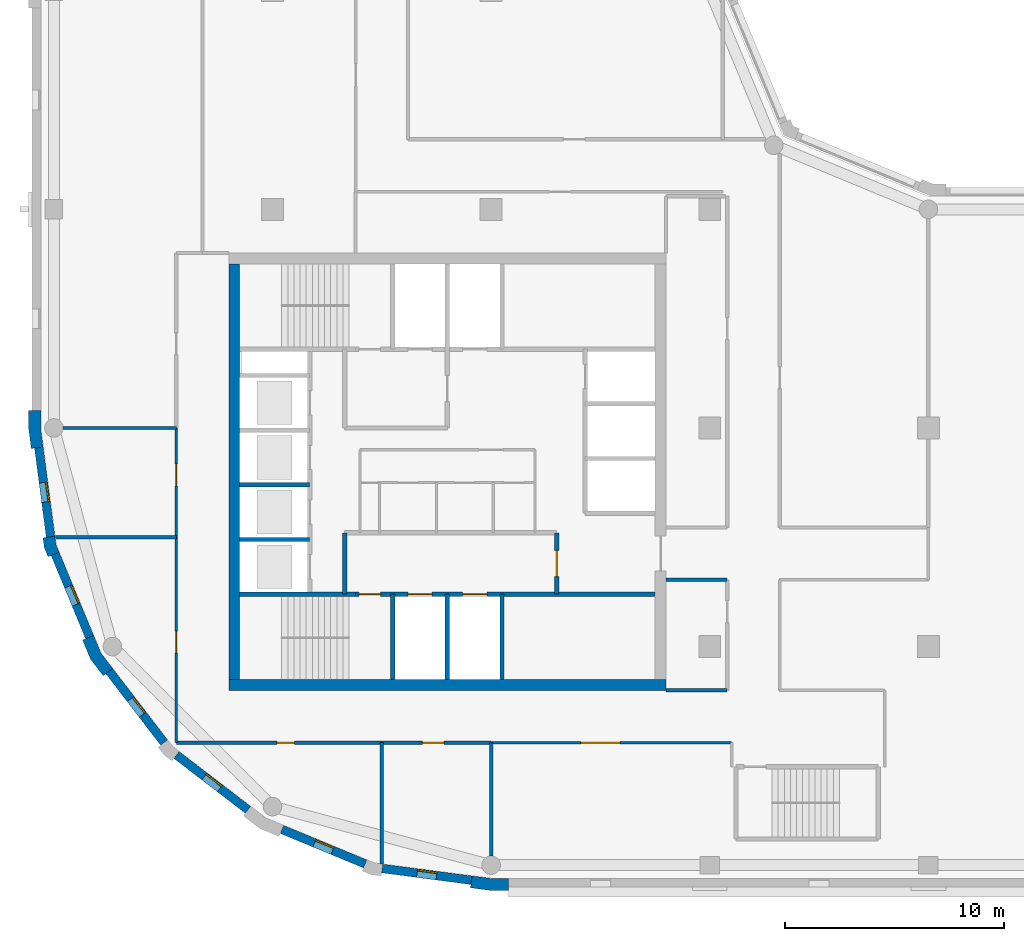
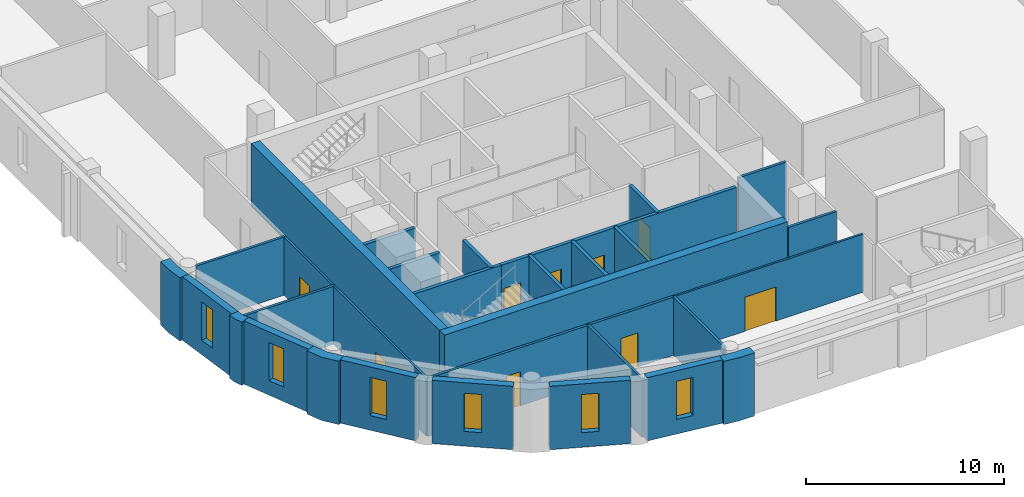
# One storey, part 2 of 9: 30 walls, 9 doors, 6 windows, 15 openings.
"""IFC4 building model written with IfcOpenShell, lengths in metres."""

from ifc_helpers import new_model, si_unit, direction, frame, frame_2d, origin, place, context, subcontext, project, spatial, polyline, rectangle, outline, extrude, material, layer, layer_set, type_object, element, fill, save


model = new_model("IFC4")

# Units and contexts
model_context = context("Model", 3, precision=1e-05, world=origin(), true_north=direction((0.0, 1.0)))
body_context = subcontext(model_context, "Body", "Model", "MODEL_VIEW")
ifc_project = project(units=[si_unit("LENGTHUNIT", "METRE"), si_unit("AREAUNIT", "SQUARE_METRE"), si_unit("VOLUMEUNIT", "CUBIC_METRE"), si_unit("PLANEANGLEUNIT", "RADIAN"), si_unit("MASSUNIT", "GRAM", prefix="KILO")], contexts=[model_context])

# Site, building, storey
site_placement = place(None, origin())
site = spatial("IfcSite", under=ifc_project, at=site_placement, CompositionType="ELEMENT")
building_placement = place(site_placement, origin())
building = spatial("IfcBuilding", under=site, at=building_placement, Name="Qaws Garden Tower", CompositionType="ELEMENT")
storey_placement = place(building_placement, frame((0.0, 0.0, 270.89990234375)))
storey = spatial("IfcBuildingStorey", under=building, at=storey_placement, Name="L65", CompositionType="ELEMENT", Elevation=270.89990234375)

# Wall, opening, window
ifc_material_1 = material(Name="Clay facing brick masonry", Category="masonry")
ifc_layer_1 = layer(ifc_material_1, 0.39990234375)
ifc_layer_set_1 = layer_set([ifc_layer_1], Name="Clay facing brick masonry")
wall_type_1 = type_object("IfcWallType", Name="Brick infill wall 400", PredefinedType="SOLIDWALL", material=ifc_layer_set_1)
wall_1_placement = place(storey_placement, frame((-0.688720703125, 19.102294921875, 0.0), z_axis=(0.0, 0.0, 1.0), x_axis=(0.130514280502, -0.991446429508, 0.0)))
wall_1 = element("IfcWall", 1, at=wall_1_placement, inside=storey, type_object=wall_type_1, Name="E-L65-infill-23", PredefinedType="SOLIDWALL", context=body_context, shape_type="SweptSolid", body=[
    extrude(rectangle(XDim=4.120849609375, YDim=0.39990234375, at=frame_2d((2.060546875, 0.0))), origin(), (0.0, 0.0, 1.0), 3.900146484375),
])
opening_1_placement = place(wall_1_placement, frame((1.610595703125, 0.0, 0.89990234375)))
opening_1 = element("IfcOpeningElement", 2, at=opening_1_placement, cuts=wall_1, Name="Opening W09", PredefinedType="OPENING", context=body_context, shape_type="SweptSolid", body=[
    extrude(rectangle(XDim=0.89990234375, YDim=2.35009765625, at=frame_2d((0.449951171875, 1.175048828125))), frame((0.0, 0.2099609375, 0.0), z_axis=(0.0, -1.0, 0.0), x_axis=(1.0, 0.0, 0.0)), (0.0, 0.0, 1.0), 0.419921875),
])
ifc_material_2 = material(Name="Aluminium framed window, clear glazing", Category="aluminium")
window_type = type_object("IfcWindowType", Name="Slit window 900 x 2350", PartitioningType="SINGLE_PANEL", PredefinedType="WINDOW", material=ifc_material_2)
window_1_placement = place(opening_1_placement, origin())
window_1 = element("IfcWindow", 3, at=window_1_placement, inside=storey, type_object=window_type, Name="E-L65-window-23-0", OverallHeight=2.35009765625, OverallWidth=0.89990234375, PartitioningType="SINGLE_PANEL", PredefinedType="WINDOW", context=body_context, shape_type="SweptSolid", body=[
    extrude(rectangle(XDim=0.89990234375, YDim=2.35009765625, at=frame_2d((0.449951171875, 1.175048828125))), frame((0.0, 0.159912109375, 0.0), z_axis=(0.0, -1.0, 0.0), x_axis=(1.0, 0.0, 0.0)), (0.0, 0.0, 1.0), 0.06005859375),
])
fill(opening_1, window_1)

wall_2_placement = place(storey_placement, frame((0.05712890625, 14.240234375, 0.0), z_axis=(0.0, 0.0, 1.0), x_axis=(0.382721546029, -0.923863744394, 0.0)))
wall_2 = element("IfcWall", 4, at=wall_2_placement, inside=storey, type_object=wall_type_1, Name="E-L65-infill-24", PredefinedType="SOLIDWALL", context=body_context, shape_type="SweptSolid", body=[
    extrude(rectangle(XDim=4.120849609375, YDim=0.39990234375, at=frame_2d((2.060546875, 0.0))), origin(), (0.0, 0.0, 1.0), 3.900146484375),
])
opening_2_placement = place(wall_2_placement, frame((1.610595703125, 0.0, 0.89990234375)))
opening_2 = element("IfcOpeningElement", 5, at=opening_2_placement, cuts=wall_2, Name="Opening W09", PredefinedType="OPENING", context=body_context, shape_type="SweptSolid", body=[
    extrude(rectangle(XDim=0.89990234375, YDim=2.35009765625, at=frame_2d((0.449951171875, 1.175048828125))), frame((0.0, 0.2099609375, 0.0), z_axis=(0.0, -1.0, 0.0), x_axis=(1.0, 0.0, 0.0)), (0.0, 0.0, 1.0), 0.419921875),
])
window_2_placement = place(opening_2_placement, origin())
window_2 = element("IfcWindow", 6, at=window_2_placement, inside=storey, type_object=window_type, Name="E-L65-window-24-0", OverallHeight=2.35009765625, OverallWidth=0.89990234375, PartitioningType="SINGLE_PANEL", PredefinedType="WINDOW", context=body_context, shape_type="SweptSolid", body=[
    extrude(rectangle(XDim=0.89990234375, YDim=2.35009765625, at=frame_2d((0.449951171875, 1.175048828125))), frame((0.0, 0.159912109375, 0.0), z_axis=(0.0, -1.0, 0.0), x_axis=(1.0, 0.0, 0.0)), (0.0, 0.0, 1.0), 0.06005859375),
])
fill(opening_2, window_2)

wall_3_placement = place(storey_placement, frame((2.53173828125, 8.87841796875, 0.0), z_axis=(0.0, 0.0, 1.0), x_axis=(0.608759824817, -0.793354571229, 0.0)))
wall_3 = element("IfcWall", 7, at=wall_3_placement, inside=storey, type_object=wall_type_1, Name="E-L65-infill-25", PredefinedType="SOLIDWALL", context=body_context, shape_type="SweptSolid", body=[
    extrude(rectangle(XDim=4.12109375, YDim=0.39990234375, at=frame_2d((2.060546875, 0.0))), origin(), (0.0, 0.0, 1.0), 3.900146484375),
])
opening_3_placement = place(wall_3_placement, frame((1.610595703125, 0.0, 0.89990234375)))
opening_3 = element("IfcOpeningElement", 8, at=opening_3_placement, cuts=wall_3, Name="Opening W09", PredefinedType="OPENING", context=body_context, shape_type="SweptSolid", body=[
    extrude(rectangle(XDim=0.89990234375, YDim=2.35009765625, at=frame_2d((0.449951171875, 1.175048828125))), frame((0.0, 0.2099609375, 0.0), z_axis=(0.0, -1.0, 0.0), x_axis=(1.0, 0.0, 0.0)), (0.0, 0.0, 1.0), 0.419921875),
])
window_3_placement = place(opening_3_placement, origin())
window_3 = element("IfcWindow", 9, at=window_3_placement, inside=storey, type_object=window_type, Name="E-L65-window-25-0", OverallHeight=2.35009765625, OverallWidth=0.89990234375, PartitioningType="SINGLE_PANEL", PredefinedType="WINDOW", context=body_context, shape_type="SweptSolid", body=[
    extrude(rectangle(XDim=0.89990234375, YDim=2.35009765625, at=frame_2d((0.449951171875, 1.175048828125))), frame((0.0, 0.159912109375, 0.0), z_axis=(0.0, -1.0, 0.0), x_axis=(1.0, 0.0, 0.0)), (0.0, 0.0, 1.0), 0.06005859375),
])
fill(opening_3, window_3)

wall_4_placement = place(storey_placement, frame((5.60888671875, 5.04052734375, 0.0), z_axis=(0.0, 0.0, 1.0), x_axis=(0.793354571229, -0.608759824817, 0.0)))
wall_4 = element("IfcWall", 10, at=wall_4_placement, inside=storey, type_object=wall_type_1, Name="E-L65-infill-26", PredefinedType="SOLIDWALL", context=body_context, shape_type="SweptSolid", body=[
    extrude(rectangle(XDim=4.12109375, YDim=0.39990234375, at=frame_2d((2.060546875, 0.0))), origin(), (0.0, 0.0, 1.0), 3.900146484375),
])
opening_4_placement = place(wall_4_placement, frame((1.610595703125, 0.0, 0.89990234375)))
opening_4 = element("IfcOpeningElement", 11, at=opening_4_placement, cuts=wall_4, Name="Opening W09", PredefinedType="OPENING", context=body_context, shape_type="SweptSolid", body=[
    extrude(rectangle(XDim=0.89990234375, YDim=2.35009765625, at=frame_2d((0.449951171875, 1.175048828125))), frame((0.0, 0.2099609375, 0.0), z_axis=(0.0, -1.0, 0.0), x_axis=(1.0, 0.0, 0.0)), (0.0, 0.0, 1.0), 0.419921875),
])
window_4_placement = place(opening_4_placement, origin())
window_4 = element("IfcWindow", 12, at=window_4_placement, inside=storey, type_object=window_type, Name="E-L65-window-26-0", OverallHeight=2.35009765625, OverallWidth=0.89990234375, PartitioningType="SINGLE_PANEL", PredefinedType="WINDOW", context=body_context, shape_type="SweptSolid", body=[
    extrude(rectangle(XDim=0.89990234375, YDim=2.35009765625, at=frame_2d((0.449951171875, 1.175048828125))), frame((0.0, 0.159912109375, 0.0), z_axis=(0.0, -1.0, 0.0), x_axis=(1.0, 0.0, 0.0)), (0.0, 0.0, 1.0), 0.06005859375),
])
fill(opening_4, window_4)

wall_5_placement = place(storey_placement, frame((10.43310546875, 1.63427734375, 0.0), z_axis=(0.0, 0.0, 1.0), x_axis=(0.923863744394, -0.382721546029, 0.0)))
wall_5 = element("IfcWall", 13, at=wall_5_placement, inside=storey, type_object=wall_type_1, Name="E-L65-infill-27", PredefinedType="SOLIDWALL", context=body_context, shape_type="SweptSolid", body=[
    extrude(rectangle(XDim=4.120849609375, YDim=0.39990234375, at=frame_2d((2.060546875, 0.0))), origin(), (0.0, 0.0, 1.0), 3.900146484375),
])
opening_5_placement = place(wall_5_placement, frame((1.610595703125, 0.0, 0.89990234375)))
opening_5 = element("IfcOpeningElement", 14, at=opening_5_placement, cuts=wall_5, Name="Opening W09", PredefinedType="OPENING", context=body_context, shape_type="SweptSolid", body=[
    extrude(rectangle(XDim=0.89990234375, YDim=2.35009765625, at=frame_2d((0.449951171875, 1.175048828125))), frame((0.0, 0.2099609375, 0.0), z_axis=(0.0, -1.0, 0.0), x_axis=(1.0, 0.0, 0.0)), (0.0, 0.0, 1.0), 0.419921875),
])
window_5_placement = place(opening_5_placement, origin())
window_5 = element("IfcWindow", 15, at=window_5_placement, inside=storey, type_object=window_type, Name="E-L65-window-27-0", OverallHeight=2.35009765625, OverallWidth=0.89990234375, PartitioningType="SINGLE_PANEL", PredefinedType="WINDOW", context=body_context, shape_type="SweptSolid", body=[
    extrude(rectangle(XDim=0.89990234375, YDim=2.35009765625, at=frame_2d((0.449951171875, 1.175048828125))), frame((0.0, 0.159912109375, 0.0), z_axis=(0.0, -1.0, 0.0), x_axis=(1.0, 0.0, 0.0)), (0.0, 0.0, 1.0), 0.06005859375),
])
fill(opening_5, window_5)

wall_6_placement = place(storey_placement, frame((15.0166015625, -0.15087890625, 0.0), z_axis=(0.0, 0.0, 1.0), x_axis=(0.991446429508, -0.130514280502, 0.0)))
wall_6 = element("IfcWall", 16, at=wall_6_placement, inside=storey, type_object=wall_type_1, Name="E-L65-infill-28", PredefinedType="SOLIDWALL", context=body_context, shape_type="SweptSolid", body=[
    extrude(rectangle(XDim=4.120849609375, YDim=0.39990234375, at=frame_2d((2.060546875, 0.0))), origin(), (0.0, 0.0, 1.0), 3.900146484375),
])
opening_6_placement = place(wall_6_placement, frame((1.610595703125, 0.0, 0.89990234375)))
opening_6 = element("IfcOpeningElement", 17, at=opening_6_placement, cuts=wall_6, Name="Opening W09", PredefinedType="OPENING", context=body_context, shape_type="SweptSolid", body=[
    extrude(rectangle(XDim=0.89990234375, YDim=2.35009765625, at=frame_2d((0.449951171875, 1.175048828125))), frame((0.0, 0.2099609375, 0.0), z_axis=(0.0, -1.0, 0.0), x_axis=(1.0, 0.0, 0.0)), (0.0, 0.0, 1.0), 0.419921875),
])
window_6_placement = place(opening_6_placement, origin())
window_6 = element("IfcWindow", 18, at=window_6_placement, inside=storey, type_object=window_type, Name="E-L65-window-28-0", OverallHeight=2.35009765625, OverallWidth=0.89990234375, PartitioningType="SINGLE_PANEL", PredefinedType="WINDOW", context=body_context, shape_type="SweptSolid", body=[
    extrude(rectangle(XDim=0.89990234375, YDim=2.35009765625, at=frame_2d((0.449951171875, 1.175048828125))), frame((0.0, 0.159912109375, 0.0), z_axis=(0.0, -1.0, 0.0), x_axis=(1.0, 0.0, 0.0)), (0.0, 0.0, 1.0), 0.06005859375),
])
fill(opening_6, window_6)

# Walls
ifc_material_3 = material(Name="Clay facing brick masonry", Category="masonry")
ifc_layer_2 = layer(ifc_material_3, 0.550048828125)
ifc_layer_set_2 = layer_set([ifc_layer_2], Name="Clay facing brick masonry")
wall_type_2 = type_object("IfcWallType", Name="Brick kink pier 550 x 600", PredefinedType="SOLIDWALL", material=ifc_layer_set_2)
placement = place(storey_placement, origin())
element("IfcWall", 19, at=placement, inside=storey, type_object=wall_type_2, Name="E-L65-pier-24", PredefinedType="SOLIDWALL", context=body_context, shape_type="SweptSolid", body=[
    extrude(outline(polyline([(-0.34912109375, 14.990478515625), (-0.497802734375, 14.970947265625), (-0.43896484375, 14.5234375), (-0.26611328125, 14.1064453125), (-0.127685546875, 14.163818359375), (0.241943359375, 14.31689453125), (0.096923828125, 14.6669921875), (0.04736328125, 15.042724609375), (-0.34912109375, 14.990478515625)])), origin(), (0.0, 0.0, 1.0), 3.900146484375),
])
ifc_material_4 = material(Name="Clay facing brick masonry", Category="masonry")
ifc_layer_3 = layer(ifc_material_4, 0.550048828125)
ifc_layer_set_3 = layer_set([ifc_layer_3], Name="Clay facing brick masonry")
wall_type_3 = type_object("IfcWallType", Name="Brick pier 550 x 1600", PredefinedType="SOLIDWALL", material=ifc_layer_set_3)
element("IfcWall", 20, at=placement, inside=storey, type_object=wall_type_3, Name="E-L65-pier-00", PredefinedType="SOLIDWALL", context=body_context, shape_type="SweptSolid", body=[
    extrude(outline(polyline([(19.076416015625, -0.886962890625), (19.056640625, -1.03564453125), (19.924560546875, -1.14990234375), (20.800048828125, -1.14990234375), (20.800048828125, -1.0), (20.800048828125, -0.60009765625), (19.960693359375, -0.60009765625), (19.12841796875, -0.490478515625), (19.076416015625, -0.886962890625)])), origin(), (0.0, 0.0, 1.0), 3.900146484375),
])
element("IfcWall", 21, at=placement, inside=storey, type_object=wall_type_3, Name="E-L65-pier-23", PredefinedType="SOLIDWALL", context=body_context, shape_type="SweptSolid", body=[
    extrude(outline(polyline([(-1.0, 20.800048828125), (-1.14990234375, 20.800048828125), (-1.14990234375, 19.924560546875), (-1.03564453125, 19.056640625), (-0.886962890625, 19.076416015625), (-0.490478515625, 19.12841796875), (-0.60009765625, 19.960693359375), (-0.60009765625, 20.800048828125), (-1.0, 20.800048828125)])), origin(), (0.0, 0.0, 1.0), 3.900146484375),
])
element("IfcWall", 22, at=placement, inside=storey, type_object=wall_type_3, Name="E-L65-pier-25", PredefinedType="SOLIDWALL", context=body_context, shape_type="SweptSolid", body=[
    extrude(outline(polyline([(1.449462890625, 10.3564453125), (1.310791015625, 10.299072265625), (1.675048828125, 9.419921875), (2.254150390625, 8.665283203125), (2.373046875, 8.756591796875), (2.6904296875, 9.0), (2.1552734375, 9.697509765625), (1.819091796875, 10.509521484375), (1.449462890625, 10.3564453125)])), origin(), (0.0, 0.0, 1.0), 3.900146484375),
])
ifc_material_5 = material(Name="Concrete C60", Category="concrete")
ifc_layer_4 = layer(ifc_material_5, 0.199951171875)
ifc_layer_set_4 = layer_set([ifc_layer_4], Name="Concrete C60")
wall_type_4 = type_object("IfcWallType", Name="Core shaft wall 200 C60", PredefinedType="SHEAR", material=ifc_layer_set_4)
wall_11_placement = place(storey_placement, frame((8.5, 12.39990234375, 0.0), z_axis=(0.0, 0.0, 1.0), x_axis=(1.0, 0.0, 0.0)))
element("IfcWall", 23, at=wall_11_placement, inside=storey, type_object=wall_type_4, Name="Shaft wall", PredefinedType="SHEAR", context=body_context, shape_type="SweptSolid", body=[
    extrude(rectangle(XDim=5.300048828125, YDim=0.199951171875, at=frame_2d((2.64990234375, 0.0))), origin(), (0.0, 0.0, 1.0), 3.580078125),
])

# Wall, openings, doors
wall_12_placement = place(storey_placement, frame((13.800048828125, 12.39990234375, 0.0), z_axis=(0.0, 0.0, 1.0), x_axis=(1.0, 0.0, 0.0)))
wall_12 = element("IfcWall", 24, at=wall_12_placement, inside=storey, type_object=wall_type_4, Name="Shaft wall", PredefinedType="SHEAR", context=body_context, shape_type="SweptSolid", body=[
    extrude(rectangle(XDim=13.699951171875, YDim=0.199951171875, at=frame_2d((6.85009765625, 0.0))), origin(), (0.0, 0.0, 1.0), 3.580078125),
])
opening_7_placement = place(wall_12_placement, frame((2.39990234375, 0.0, 0.0)))
opening_7 = element("IfcOpeningElement", 25, at=opening_7_placement, cuts=wall_12, Name="Opening LD06", PredefinedType="OPENING", context=body_context, shape_type="SweptSolid", body=[
    extrude(rectangle(XDim=1.10009765625, YDim=2.10009765625, at=frame_2d((0.550048828125, 1.050048828125))), frame((0.0, 0.10986328125, 0.0), z_axis=(0.0, -1.0, 0.0), x_axis=(1.0, 0.0, 0.0)), (0.0, 0.0, 1.0), 0.219970703125),
])
opening_8_placement = place(wall_12_placement, frame((4.89990234375, 0.0, 0.0)))
opening_8 = element("IfcOpeningElement", 26, at=opening_8_placement, cuts=wall_12, Name="Opening LD07", PredefinedType="OPENING", context=body_context, shape_type="SweptSolid", body=[
    extrude(rectangle(XDim=1.10009765625, YDim=2.10009765625, at=frame_2d((0.550048828125, 1.050048828125))), frame((0.0, 0.10986328125, 0.0), z_axis=(0.0, -1.0, 0.0), x_axis=(1.0, 0.0, 0.0)), (0.0, 0.0, 1.0), 0.219970703125),
])
opening_9_placement = place(wall_12_placement, frame((0.14990234375, 0.0, 0.0)))
opening_9 = element("IfcOpeningElement", 27, at=opening_9_placement, cuts=wall_12, Name="Opening SD10", PredefinedType="OPENING", context=body_context, shape_type="SweptSolid", body=[
    extrude(rectangle(XDim=1.0, YDim=2.10009765625, at=frame_2d((0.5, 1.050048828125))), frame((0.0, 0.10986328125, 0.0), z_axis=(0.0, -1.0, 0.0), x_axis=(1.0, 0.0, 0.0)), (0.0, 0.0, 1.0), 0.219970703125),
])
ifc_material_6 = material(Name="Steel S235", Category="steel")
door_type_1 = type_object("IfcDoorType", Name="Landing door 1100x2100", OperationType="DOUBLE_DOOR_SLIDING", PredefinedType="DOOR", material=ifc_material_6)
door_1_placement = place(opening_7_placement, origin())
door_1 = element("IfcDoor", 28, at=door_1_placement, inside=storey, type_object=door_type_1, Name="Lift FF1 landing door", OperationType="DOUBLE_DOOR_SLIDING", OverallHeight=2.10009765625, OverallWidth=1.10009765625, PredefinedType="DOOR", context=body_context, shape_type="SweptSolid", body=[
    extrude(rectangle(XDim=1.10009765625, YDim=2.10009765625, at=frame_2d((0.550048828125, 1.050048828125))), frame((0.0, 0.02490234375, 0.0), z_axis=(0.0, -1.0, 0.0), x_axis=(1.0, 0.0, 0.0)), (0.0, 0.0, 1.0), 0.050048828125),
])
fill(opening_7, door_1)
door_2_placement = place(opening_8_placement, origin())
door_2 = element("IfcDoor", 29, at=door_2_placement, inside=storey, type_object=door_type_1, Name="Lift FF2 landing door", OperationType="DOUBLE_DOOR_SLIDING", OverallHeight=2.10009765625, OverallWidth=1.10009765625, PredefinedType="DOOR", context=body_context, shape_type="SweptSolid", body=[
    extrude(rectangle(XDim=1.10009765625, YDim=2.10009765625, at=frame_2d((0.550048828125, 1.050048828125))), frame((0.0, 0.02490234375, 0.0), z_axis=(0.0, -1.0, 0.0), x_axis=(1.0, 0.0, 0.0)), (0.0, 0.0, 1.0), 0.050048828125),
])
fill(opening_8, door_2)
ifc_material_7 = material(Name="Steel S235", Category="steel")
door_type_2 = type_object("IfcDoorType", Name="Stair door 1000x2100", OperationType="SINGLE_SWING_RIGHT", PredefinedType="DOOR", material=ifc_material_7)
door_3_placement = place(opening_9_placement, frame((1.0, 0.0, 0.0), z_axis=(0.0, 0.0, 1.0), x_axis=(-1.0, 0.0, 0.0)))
door_3 = element("IfcDoor", 30, at=door_3_placement, inside=storey, type_object=door_type_2, Name="Stair 1 door", OperationType="SINGLE_SWING_LEFT", OverallHeight=2.10009765625, OverallWidth=1.0, PredefinedType="DOOR", context=body_context, shape_type="SweptSolid", body=[
    extrude(rectangle(XDim=1.0, YDim=2.10009765625, at=frame_2d((0.5, 1.050048828125))), frame((0.0, 0.02490234375, 0.0), z_axis=(0.0, -1.0, 0.0), x_axis=(1.0, 0.0, 0.0)), (0.0, 0.0, 1.0), 0.050048828125),
])
fill(opening_9, door_3)

# Walls
for number, where, z_axis, x_axis, name in (
    (31, (8.5, 14.89990234375, 0.0), (0.0, 0.0, 1.0), (1.0, 0.0, 0.0), "Shaft wall"),
    (32, (8.5, 17.39990234375, 0.0), (0.0, 0.0, 1.0), (1.0, 0.0, 0.0), "Shaft wall"),
):
    element("IfcWall", number, at=place(storey_placement, frame(where, z_axis=z_axis, x_axis=x_axis)), inside=storey, type_object=wall_type_4, Name=name, PredefinedType="SHEAR", context=body_context, shape_type="SweptSolid", body=[
        extrude(rectangle(XDim=3.199951171875, YDim=0.199951171875, at=frame_2d((1.60009765625, 0.0))), origin(), (0.0, 0.0, 1.0), 3.580078125),
    ])
wall_13_placement = place(storey_placement, frame((13.300048828125, 12.39990234375, 0.0), z_axis=(0.0, 0.0, 1.0), x_axis=(0.0, 1.0, 0.0)))
element("IfcWall", 33, at=wall_13_placement, inside=storey, type_object=wall_type_4, Name="Shaft wall", PredefinedType="SHEAR", context=body_context, shape_type="SweptSolid", body=[
    extrude(rectangle(XDim=2.800048828125, YDim=0.199951171875, at=frame_2d((1.39990234375, 0.0))), origin(), (0.0, 0.0, 1.0), 3.580078125),
])
for number, where, z_axis, x_axis, name in (
    (34, (15.5, 8.5, 0.0), (0.0, 0.0, 1.0), (0.0, 1.0, 0.0), "Shaft wall"),
    (35, (18.0, 8.5, 0.0), (0.0, 0.0, 1.0), (0.0, 1.0, 0.0), "Shaft wall"),
    (36, (20.5, 8.5, 0.0), (0.0, 0.0, 1.0), (0.0, 1.0, 0.0), "Shaft wall"),
):
    element("IfcWall", number, at=place(storey_placement, frame(where, z_axis=z_axis, x_axis=x_axis)), inside=storey, type_object=wall_type_4, Name=name, PredefinedType="SHEAR", context=body_context, shape_type="SweptSolid", body=[
        extrude(rectangle(XDim=3.89990234375, YDim=0.199951171875, at=frame_2d((1.949951171875, 0.0))), origin(), (0.0, 0.0, 1.0), 3.580078125),
    ])

# Wall, opening, door
wall_14_placement = place(storey_placement, frame((23.0, 12.39990234375, 0.0), z_axis=(0.0, 0.0, 1.0), x_axis=(0.0, 1.0, 0.0)))
wall_14 = element("IfcWall", 37, at=wall_14_placement, inside=storey, type_object=wall_type_4, Name="Shaft wall", PredefinedType="SHEAR", context=body_context, shape_type="SweptSolid", body=[
    extrude(rectangle(XDim=2.800048828125, YDim=0.199951171875, at=frame_2d((1.39990234375, 0.0))), origin(), (0.0, 0.0, 1.0), 3.580078125),
])
opening_10_placement = place(wall_14_placement, frame((0.800048828125, 0.0, 0.0)))
opening_10 = element("IfcOpeningElement", 38, at=opening_10_placement, cuts=wall_14, Name="Opening FD15", PredefinedType="OPENING", context=body_context, shape_type="SweptSolid", body=[
    extrude(rectangle(XDim=1.199951171875, YDim=2.10009765625, at=frame_2d((0.60009765625, 1.050048828125))), frame((0.0, 0.10986328125, 0.0), z_axis=(0.0, -1.0, 0.0), x_axis=(1.0, 0.0, 0.0)), (0.0, 0.0, 1.0), 0.219970703125),
])
ifc_material_8 = material(Name="Steel S235", Category="steel")
door_type_3 = type_object("IfcDoorType", Name="Lobby door 1200x2100", OperationType="DOUBLE_DOOR_SINGLE_SWING", PredefinedType="DOOR", material=ifc_material_8)
door_4_placement = place(opening_10_placement, origin())
door_4 = element("IfcDoor", 39, at=door_4_placement, inside=storey, type_object=door_type_3, Name="Fire-fighting lobby door", OperationType="DOUBLE_DOOR_SINGLE_SWING", OverallHeight=2.10009765625, OverallWidth=1.199951171875, PredefinedType="DOOR", context=body_context, shape_type="SweptSolid", body=[
    extrude(rectangle(XDim=1.199951171875, YDim=2.10009765625, at=frame_2d((0.60009765625, 1.050048828125))), frame((0.0, 0.02490234375, 0.0), z_axis=(0.0, -1.0, 0.0), x_axis=(1.0, 0.0, 0.0)), (0.0, 0.0, 1.0), 0.050048828125),
])
fill(opening_10, door_4)

# Walls
ifc_material_9 = material(Name="Concrete C60", Category="concrete")
ifc_layer_5 = layer(ifc_material_9, 0.5)
ifc_layer_set_5 = layer_set([ifc_layer_5], Name="Concrete C60")
wall_type_5 = type_object("IfcWallType", Name="Core wall 500 C60", PredefinedType="SHEAR", material=ifc_layer_set_5)
wall_15_placement = place(storey_placement, frame((8.0, 8.25, 0.0), z_axis=(0.0, 0.0, 1.0), x_axis=(1.0, 0.0, 0.0)))
element("IfcWall", 40, at=wall_15_placement, inside=storey, type_object=wall_type_5, Name="Core wall L65 south", PredefinedType="SHEAR", context=body_context, shape_type="SweptSolid", body=[
    extrude(rectangle(XDim=20.0, YDim=0.5, at=frame_2d((10.0, 0.0))), origin(), (0.0, 0.0, 1.0), 3.900146484375),
])
wall_16_placement = place(storey_placement, frame((8.25, 27.5, 0.0), z_axis=(0.0, 0.0, 1.0), x_axis=(0.0, -1.0, 0.0)))
element("IfcWall", 41, at=wall_16_placement, inside=storey, type_object=wall_type_5, Name="Core wall L65 west", PredefinedType="SHEAR", context=body_context, shape_type="SweptSolid", body=[
    extrude(rectangle(XDim=19.0, YDim=0.5, at=frame_2d((9.5, 0.0))), origin(), (0.0, 0.0, 1.0), 3.900146484375),
])

# Wall, openings, doors
ifc_material_10 = material(Name="Glass and aluminium framing", Category="aluminium")
ifc_layer_6 = layer(ifc_material_10, 0.1201171875)
ifc_layer_set_6 = layer_set([ifc_layer_6], Name="Glass and aluminium framing")
wall_type_6 = type_object("IfcWallType", Name="GLAZED PARTITION 120 EI 30", PredefinedType="PARTITIONING", material=ifc_layer_set_6)
wall_17_placement = place(storey_placement, frame((5.60009765625, 5.60009765625, 0.0), z_axis=(0.0, 0.0, 1.0), x_axis=(0.0, 1.0, 0.0)))
wall_17 = element("IfcWall", 42, at=wall_17_placement, inside=storey, type_object=wall_type_6, Name="O-L65-wall-039", PredefinedType="PARTITIONING", context=body_context, shape_type="SweptSolid", body=[
    extrude(rectangle(XDim=14.39990234375, YDim=0.1201171875, at=frame_2d((7.199951171875, 0.0))), origin(), (0.0, 0.0, 1.0), 3.580078125),
])
opening_11_placement = place(wall_17_placement, frame((4.10009765625, 0.0, 0.0)))
opening_11 = element("IfcOpeningElement", 43, at=opening_11_placement, cuts=wall_17, Name="Opening C201", PredefinedType="OPENING", context=body_context, shape_type="SweptSolid", body=[
    extrude(rectangle(XDim=1.0, YDim=2.10009765625, at=frame_2d((0.5, 1.050048828125))), frame((0.0, 0.070068359375, 0.0), z_axis=(0.0, -1.0, 0.0), x_axis=(1.0, 0.0, 0.0)), (0.0, 0.0, 1.0), 0.14013671875),
])
opening_12_placement = place(wall_17_placement, frame((11.75, 0.0, 0.0)))
opening_12 = element("IfcOpeningElement", 44, at=opening_12_placement, cuts=wall_17, Name="Opening C202", PredefinedType="OPENING", context=body_context, shape_type="SweptSolid", body=[
    extrude(rectangle(XDim=1.0, YDim=2.10009765625, at=frame_2d((0.5, 1.050048828125))), frame((0.0, 0.070068359375, 0.0), z_axis=(0.0, -1.0, 0.0), x_axis=(1.0, 0.0, 0.0)), (0.0, 0.0, 1.0), 0.14013671875),
])
ifc_material_11 = material(Name="Timber door leaf", Category="wood")
door_type_4 = type_object("IfcDoorType", Name="TENANCY ENTRANCE DOOR 1000 X 2100", OperationType="SINGLE_SWING_LEFT", PredefinedType="DOOR", material=ifc_material_11)
door_5_placement = place(opening_11_placement, origin())
door_5 = element("IfcDoor", 45, at=door_5_placement, inside=storey, type_object=door_type_4, Name="O-L65-door-001", OperationType="SINGLE_SWING_RIGHT", OverallHeight=2.10009765625, OverallWidth=1.0, PredefinedType="DOOR", context=body_context, shape_type="SweptSolid", body=[
    extrude(rectangle(XDim=1.0, YDim=2.10009765625, at=frame_2d((0.5, 1.050048828125))), frame((0.0, 0.02490234375, 0.0), z_axis=(0.0, -1.0, 0.0), x_axis=(1.0, 0.0, 0.0)), (0.0, 0.0, 1.0), 0.050048828125),
])
fill(opening_11, door_5)
door_6_placement = place(opening_12_placement, origin())
door_6 = element("IfcDoor", 46, at=door_6_placement, inside=storey, type_object=door_type_4, Name="O-L65-door-002", OperationType="SINGLE_SWING_RIGHT", OverallHeight=2.10009765625, OverallWidth=1.0, PredefinedType="DOOR", context=body_context, shape_type="SweptSolid", body=[
    extrude(rectangle(XDim=1.0, YDim=2.10009765625, at=frame_2d((0.5, 1.050048828125))), frame((0.0, 0.02490234375, 0.0), z_axis=(0.0, -1.0, 0.0), x_axis=(1.0, 0.0, 0.0)), (0.0, 0.0, 1.0), 0.050048828125),
])
fill(opening_12, door_6)

# Wall, opening, door
wall_18_placement = place(storey_placement, frame((20.0, 5.60009765625, 0.0), z_axis=(0.0, 0.0, 1.0), x_axis=(1.0, 0.0, 0.0)))
wall_18 = element("IfcWall", 47, at=wall_18_placement, inside=storey, type_object=wall_type_6, Name="O-L65-wall-049", PredefinedType="PARTITIONING", context=body_context, shape_type="SweptSolid", body=[
    extrude(rectangle(XDim=11.0, YDim=0.1201171875, at=frame_2d((5.5, 0.0))), origin(), (0.0, 0.0, 1.0), 3.580078125),
])
opening_13_placement = place(wall_18_placement, frame((4.10009765625, 0.0, 0.0)))
opening_13 = element("IfcOpeningElement", 48, at=opening_13_placement, cuts=wall_18, Name="Opening C215", PredefinedType="OPENING", context=body_context, shape_type="SweptSolid", body=[
    extrude(rectangle(XDim=1.800048828125, YDim=2.10009765625, at=frame_2d((0.89990234375, 1.050048828125))), frame((0.0, 0.070068359375, 0.0), z_axis=(0.0, -1.0, 0.0), x_axis=(1.0, 0.0, 0.0)), (0.0, 0.0, 1.0), 0.14013671875),
])
ifc_material_12 = material(Name="Timber door leaf", Category="wood")
door_type_5 = type_object("IfcDoorType", Name="DOUBLE DOOR 1800 X 2100", OperationType="DOUBLE_DOOR_SINGLE_SWING", PredefinedType="DOOR", material=ifc_material_12)
door_7_placement = place(opening_13_placement, frame((1.800048828125, 0.0, 0.0), z_axis=(0.0, 0.0, 1.0), x_axis=(-1.0, 0.0, 0.0)))
door_7 = element("IfcDoor", 49, at=door_7_placement, inside=storey, type_object=door_type_5, Name="O-L65-door-015", OperationType="DOUBLE_DOOR_SINGLE_SWING", OverallHeight=2.10009765625, OverallWidth=1.800048828125, PredefinedType="DOOR", context=body_context, shape_type="SweptSolid", body=[
    extrude(rectangle(XDim=1.800048828125, YDim=2.10009765625, at=frame_2d((0.89990234375, 1.050048828125))), frame((0.0, 0.02490234375, 0.0), z_axis=(0.0, -1.0, 0.0), x_axis=(1.0, 0.0, 0.0)), (0.0, 0.0, 1.0), 0.050048828125),
])
fill(opening_13, door_7)

# Walls
ifc_material_13 = material(Name="Gypsum board partition")
ifc_layer_7 = layer(ifc_material_13, 0.14990234375)
ifc_layer_set_7 = layer_set([ifc_layer_7], Name="Gypsum board partition")
wall_type_7 = type_object("IfcWallType", Name="PARTITION 150 EI 60", PredefinedType="PARTITIONING", material=ifc_layer_set_7)
wall_19_placement = place(storey_placement, frame((15.0, 0.06298828125, 0.0), z_axis=(0.0, 0.0, 1.0), x_axis=(0.0, 1.0, 0.0)))
element("IfcWall", 50, at=wall_19_placement, inside=storey, type_object=wall_type_7, Name="O-L65-wall-007", PredefinedType="PARTITIONING", context=body_context, shape_type="SweptSolid", body=[
    extrude(rectangle(XDim=5.537109375, YDim=0.14990234375, at=frame_2d((2.7685546875, 0.0))), origin(), (0.0, 0.0, 1.0), 3.580078125),
])
wall_20_placement = place(storey_placement, frame((20.0, 0.425048828125, 0.0), z_axis=(0.0, 0.0, 1.0), x_axis=(0.0, 1.0, 0.0)))
element("IfcWall", 51, at=wall_20_placement, inside=storey, type_object=wall_type_7, Name="O-L65-wall-010", PredefinedType="PARTITIONING", context=body_context, shape_type="SweptSolid", body=[
    extrude(rectangle(XDim=5.175048828125, YDim=0.14990234375, at=frame_2d((2.58740234375, 0.0))), origin(), (0.0, 0.0, 1.0), 3.580078125),
])

# Wall, openings, doors
wall_21_placement = place(storey_placement, frame((5.60009765625, 5.60009765625, 0.0), z_axis=(0.0, 0.0, 1.0), x_axis=(1.0, 0.0, 0.0)))
wall_21 = element("IfcWall", 52, at=wall_21_placement, inside=storey, type_object=wall_type_7, Name="O-L65-wall-018", PredefinedType="PARTITIONING", context=body_context, shape_type="SweptSolid", body=[
    extrude(rectangle(XDim=14.39990234375, YDim=0.14990234375, at=frame_2d((7.199951171875, 0.0))), origin(), (0.0, 0.0, 1.0), 3.580078125),
])
opening_14_placement = place(wall_21_placement, frame((4.60009765625, 0.0, 0.0)))
opening_14 = element("IfcOpeningElement", 53, at=opening_14_placement, cuts=wall_21, Name="Opening C211", PredefinedType="OPENING", context=body_context, shape_type="SweptSolid", body=[
    extrude(rectangle(XDim=0.800048828125, YDim=2.10009765625, at=frame_2d((0.39990234375, 1.050048828125))), frame((0.0, 0.0849609375, 0.0), z_axis=(0.0, -1.0, 0.0), x_axis=(1.0, 0.0, 0.0)), (0.0, 0.0, 1.0), 0.169921875),
])
opening_15_placement = place(wall_21_placement, frame((11.25, 0.0, 0.0)))
opening_15 = element("IfcOpeningElement", 54, at=opening_15_placement, cuts=wall_21, Name="Opening C212", PredefinedType="OPENING", context=body_context, shape_type="SweptSolid", body=[
    extrude(rectangle(XDim=1.0, YDim=2.10009765625, at=frame_2d((0.5, 1.050048828125))), frame((0.0, 0.0849609375, 0.0), z_axis=(0.0, -1.0, 0.0), x_axis=(1.0, 0.0, 0.0)), (0.0, 0.0, 1.0), 0.169921875),
])
ifc_material_14 = material(Name="Timber door leaf", Category="wood")
door_type_6 = type_object("IfcDoorType", Name="STORE DOOR 800 X 2100", OperationType="SINGLE_SWING_LEFT", PredefinedType="DOOR", material=ifc_material_14)
door_8_placement = place(opening_14_placement, frame((0.800048828125, 0.0, 0.0), z_axis=(0.0, 0.0, 1.0), x_axis=(-1.0, 0.0, 0.0)))
door_8 = element("IfcDoor", 55, at=door_8_placement, inside=storey, type_object=door_type_6, Name="O-L65-door-011", OperationType="SINGLE_SWING_LEFT", OverallHeight=2.10009765625, OverallWidth=0.800048828125, PredefinedType="DOOR", context=body_context, shape_type="SweptSolid", body=[
    extrude(rectangle(XDim=0.800048828125, YDim=2.10009765625, at=frame_2d((0.39990234375, 1.050048828125))), frame((0.0, 0.02490234375, 0.0), z_axis=(0.0, -1.0, 0.0), x_axis=(1.0, 0.0, 0.0)), (0.0, 0.0, 1.0), 0.050048828125),
])
fill(opening_14, door_8)
door_9_placement = place(opening_15_placement, frame((1.0, 0.0, 0.0), z_axis=(0.0, 0.0, 1.0), x_axis=(-1.0, 0.0, 0.0)))
door_9 = element("IfcDoor", 56, at=door_9_placement, inside=storey, type_object=door_type_4, Name="O-L65-door-012", OperationType="SINGLE_SWING_LEFT", OverallHeight=2.10009765625, OverallWidth=1.0, PredefinedType="DOOR", context=body_context, shape_type="SweptSolid", body=[
    extrude(rectangle(XDim=1.0, YDim=2.10009765625, at=frame_2d((0.5, 1.050048828125))), frame((0.0, 0.02490234375, 0.0), z_axis=(0.0, -1.0, 0.0), x_axis=(1.0, 0.0, 0.0)), (0.0, 0.0, 1.0), 0.050048828125),
])
fill(opening_15, door_9)

# Walls
for number, where, z_axis, x_axis, name in (
    (57, (28.0, 8.0, 0.0), (0.0, 0.0, 1.0), (1.0, 0.0, 0.0), "O-L65-wall-019"),
    (58, (28.0, 13.050048828125, 0.0), (0.0, 0.0, 1.0), (1.0, 0.0, 0.0), "O-L65-wall-020"),
):
    element("IfcWall", number, at=place(storey_placement, frame(where, z_axis=z_axis, x_axis=x_axis)), inside=storey, type_object=wall_type_7, Name=name, PredefinedType="PARTITIONING", context=body_context, shape_type="SweptSolid", body=[
        extrude(rectangle(XDim=2.800048828125, YDim=0.14990234375, at=frame_2d((1.39990234375, 0.0))), origin(), (0.0, 0.0, 1.0), 3.580078125),
    ])
wall_22_placement = place(storey_placement, frame((0.06298828125, 15.0, 0.0), z_axis=(0.0, 0.0, 1.0), x_axis=(1.0, 0.0, 0.0)))
element("IfcWall", 59, at=wall_22_placement, inside=storey, type_object=wall_type_7, Name="O-L65-wall-021", PredefinedType="PARTITIONING", context=body_context, shape_type="SweptSolid", body=[
    extrude(rectangle(XDim=5.537109375, YDim=0.14990234375, at=frame_2d((2.7685546875, 0.0))), origin(), (0.0, 0.0, 1.0), 3.580078125),
])
wall_23_placement = place(storey_placement, frame((0.425048828125, 20.0, 0.0), z_axis=(0.0, 0.0, 1.0), x_axis=(1.0, 0.0, 0.0)))
element("IfcWall", 60, at=wall_23_placement, inside=storey, type_object=wall_type_7, Name="O-L65-wall-024", PredefinedType="PARTITIONING", context=body_context, shape_type="SweptSolid", body=[
    extrude(rectangle(XDim=5.175048828125, YDim=0.14990234375, at=frame_2d((2.58740234375, 0.0))), origin(), (0.0, 0.0, 1.0), 3.580078125),
])

save(model, "model.ifc")
